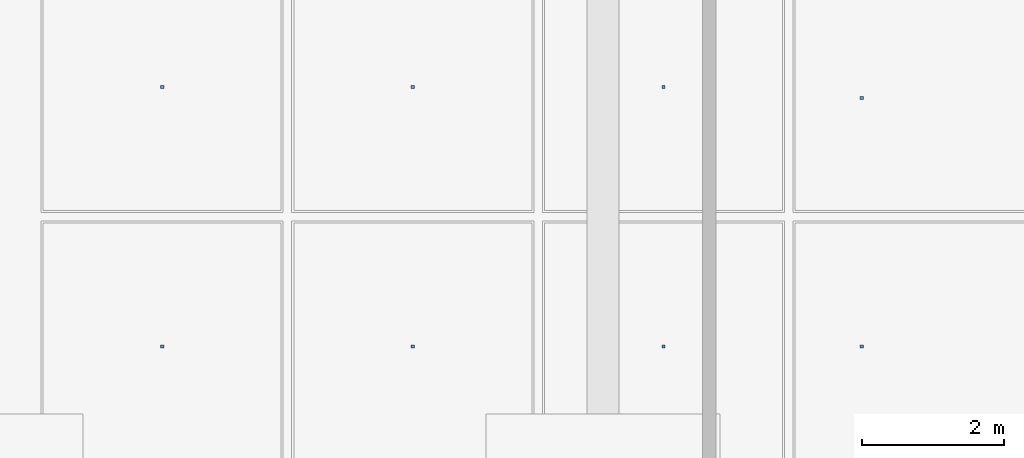
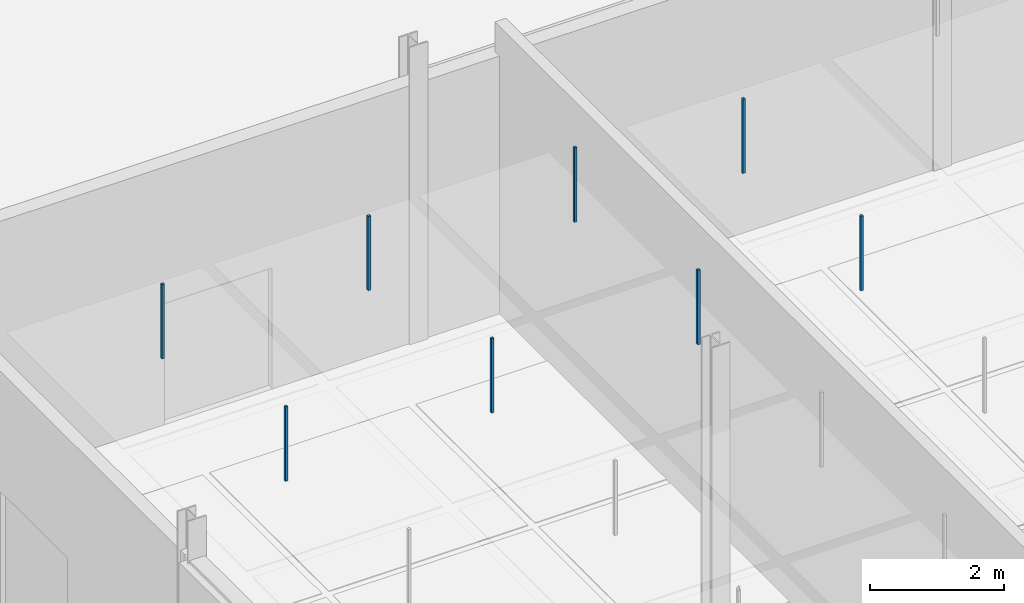
# One storey, part 122 of 180: 8 discrete accessories.
"""IFC4 building model written with IfcOpenShell, lengths in metres."""

from ifc_helpers import new_model, si_unit, direction, frame, origin, origin_2d, place, context, subcontext, project, spatial, rectangle, extrude, material, type_object, element, save


model = new_model("IFC4")

# Units and contexts
model_context = context("Model", 3, precision=1e-05, world=origin(), true_north=direction((0.0, 1.0)))
body_context = subcontext(model_context, "Body", "Model", "MODEL_VIEW")
ifc_project = project(units=[si_unit("LENGTHUNIT", "METRE"), si_unit("AREAUNIT", "SQUARE_METRE"), si_unit("VOLUMEUNIT", "CUBIC_METRE"), si_unit("PLANEANGLEUNIT", "RADIAN"), si_unit("MASSUNIT", "GRAM", prefix="KILO"), si_unit("THERMODYNAMICTEMPERATUREUNIT", "KELVIN"), si_unit("POWERUNIT", "WATT")], contexts=[model_context])

# Site, building, storey
site_placement = place(None, origin())
site = spatial("IfcSite", under=ifc_project, at=site_placement, CompositionType="ELEMENT")
building_placement = place(site_placement, origin())
building = spatial("IfcBuilding", under=site, at=building_placement, Name="Tallowbark Science Centre", CompositionType="ELEMENT")
storey_placement = place(building_placement, origin())
storey = spatial("IfcBuildingStorey", under=building, at=storey_placement, Name="L00", CompositionType="ELEMENT", Elevation=0.0)

# Discrete accessories
ifc_material = material(Name="Galvanised Steel Grade C350L0 (350 MPa)", Category="steel")
discrete_accessory_type = type_object("IfcDiscreteAccessoryType", Name="ACC-CLG-HNG", PredefinedType="BRACKET", material=ifc_material)
for number, where, z_axis, x_axis, name in (
    (1, (115.270751953125, 29.0, 3.8095703125), (0.0, 0.0, 1.0), (1.0, 0.0, 0.0), "Ceiling Hanger Bracket L00-205"),
    (2, (115.270751953125, 32.666748046875, 3.8095703125), (0.0, 0.0, 1.0), (1.0, 0.0, 0.0), "Ceiling Hanger Bracket L00-206"),
    (3, (118.8125, 29.0, 3.8095703125), (0.0, 0.0, 1.0), (1.0, 0.0, 0.0), "Ceiling Hanger Bracket L00-211"),
    (4, (118.8125, 32.666748046875, 3.8095703125), (0.0, 0.0, 1.0), (1.0, 0.0, 0.0), "Ceiling Hanger Bracket L00-212"),
    (5, (122.354248046875, 29.0, 3.8095703125), (0.0, 0.0, 1.0), (1.0, 0.0, 0.0), "Ceiling Hanger Bracket L00-217"),
    (6, (122.354248046875, 32.666748046875, 3.8095703125), (0.0, 0.0, 1.0), (1.0, 0.0, 0.0), "Ceiling Hanger Bracket L00-218"),
    (7, (125.157470703125, 29.0, 3.8095703125), (0.0, 0.0, 1.0), (1.0, 0.0, 0.0), "Ceiling Hanger Bracket L00-223"),
    (8, (125.157470703125, 32.51171875, 3.8095703125), (0.0, 0.0, 1.0), (1.0, 0.0, 0.0), "Ceiling Hanger Bracket L00-224"),
):
    element("IfcDiscreteAccessory", number, at=place(storey_placement, frame(where, z_axis=z_axis, x_axis=x_axis)), inside=storey, type_object=discrete_accessory_type, Name=name, PredefinedType="BRACKET", context=body_context, shape_type="SweptSolid", body=[
        extrude(rectangle(XDim=0.044921875, YDim=0.044921875, at=origin_2d()), origin(), (0.0, 0.0, 1.0), 1.353515625),
    ])

save(model, "model.ifc")
